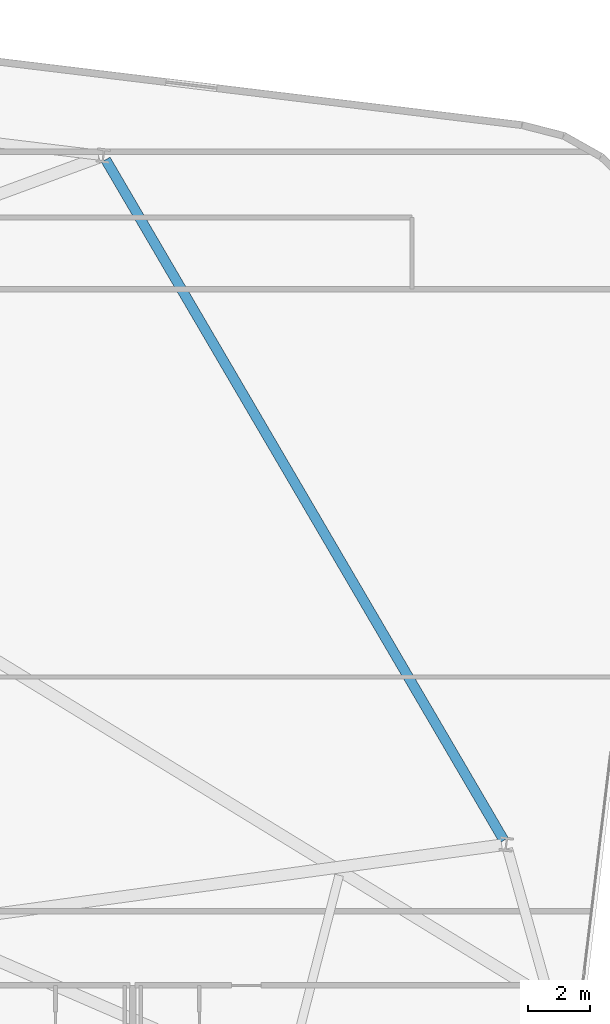
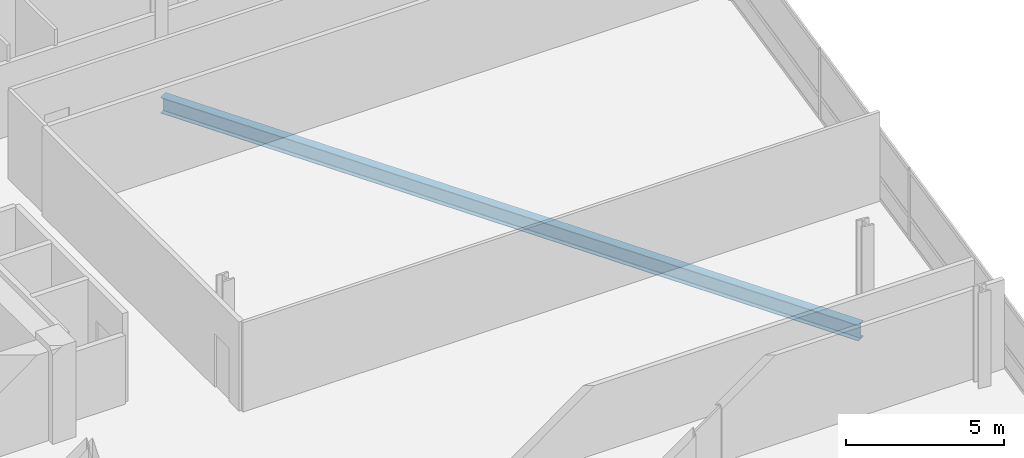
# One storey, part 17 of 26: 1 beam.
"""IFC4 building model written with IfcOpenShell, lengths in metres."""

from ifc_helpers import new_model, si_unit, direction, frame, origin, origin_2d, place, context, subcontext, project, spatial, i_section, extrude, material, material_profile, profile_set, type_object, element, save


model = new_model("IFC4")

# Units and contexts
model_context = context("Model", 3, precision=1e-05, world=origin(), true_north=direction((0.0, 1.0)))
body_context = subcontext(model_context, "Body", "Model", "MODEL_VIEW")
ifc_project = project(units=[si_unit("LENGTHUNIT", "METRE"), si_unit("AREAUNIT", "SQUARE_METRE"), si_unit("VOLUMEUNIT", "CUBIC_METRE"), si_unit("PLANEANGLEUNIT", "RADIAN"), si_unit("MASSUNIT", "GRAM", prefix="KILO")], contexts=[model_context])

# Site, building, storey
site_placement = place(None, origin())
site = spatial("IfcSite", under=ifc_project, at=site_placement, CompositionType="ELEMENT")
building_placement = place(site_placement, origin())
building = spatial("IfcBuilding", under=site, at=building_placement, Name="Varnelok Gate Tower", CompositionType="ELEMENT")
storey_placement = place(building_placement, frame((0.0, 0.0, 147.60009765625)))
storey = spatial("IfcBuildingStorey", under=building, at=storey_placement, Name="L37", CompositionType="ELEMENT", Elevation=147.60009765625)

# Beam
ifc_material = material(Name="Structural Steel ASTM A992 Grade 50", Category="steel")
ifc_material_profile = material_profile(ifc_material, i_section(OverallWidth=0.323974609375, OverallDepth=0.611083984375, WebThickness=0.0126953125, FlangeThickness=0.01904296875, FilletRadius=0.01806640625, at=origin_2d()), Name="W24X104")
ifc_profile_set = profile_set([ifc_material_profile], Name="Structural Steel ASTM A992 Grade 50")
beam_type = type_object("IfcBeamType", Name="BM-SPN-W24X104", PredefinedType="SPANDREL", material=ifc_profile_set)
beam_placement = place(storey_placement, frame((72.96875, 21.528076171875, -0.5556640625), z_axis=(-0.504960797965, 0.863142278259, 0.0), x_axis=(-0.863142278259, -0.504960797965, 0.0)))
element("IfcBeam", 1, at=beam_placement, inside=storey, type_object=beam_type, Name="L37 Perimeter Spandrel Beam 8", PredefinedType="SPANDREL", context=body_context, shape_type="SweptSolid", body=[
    extrude(i_section(OverallWidth=0.323974609375, OverallDepth=0.611083984375, WebThickness=0.0126953125, FlangeThickness=0.01904296875, FilletRadius=0.01806640625, at=origin_2d()), origin(), (0.0, 0.0, 1.0), 25.425537109375),
])

save(model, "model.ifc")
